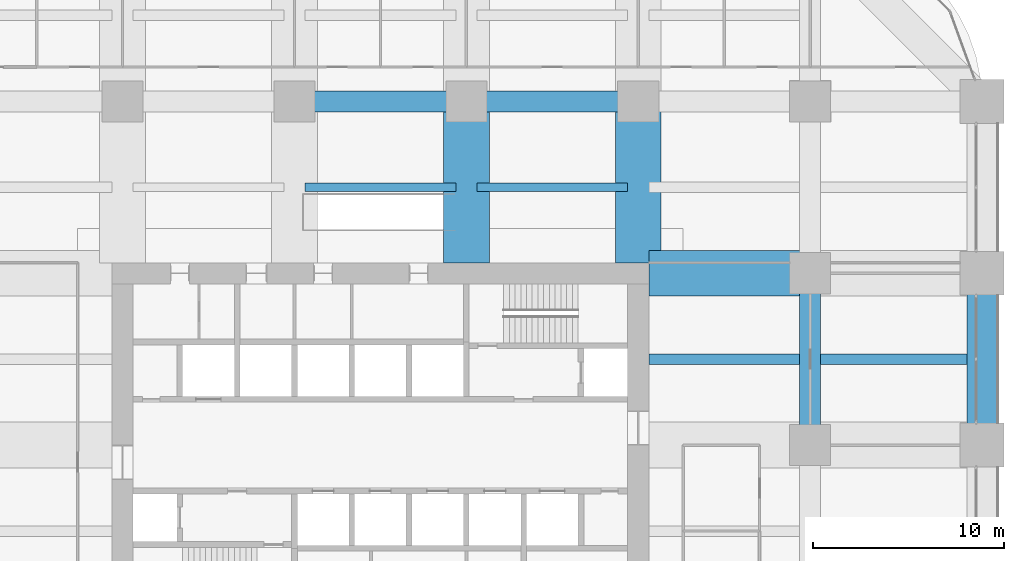
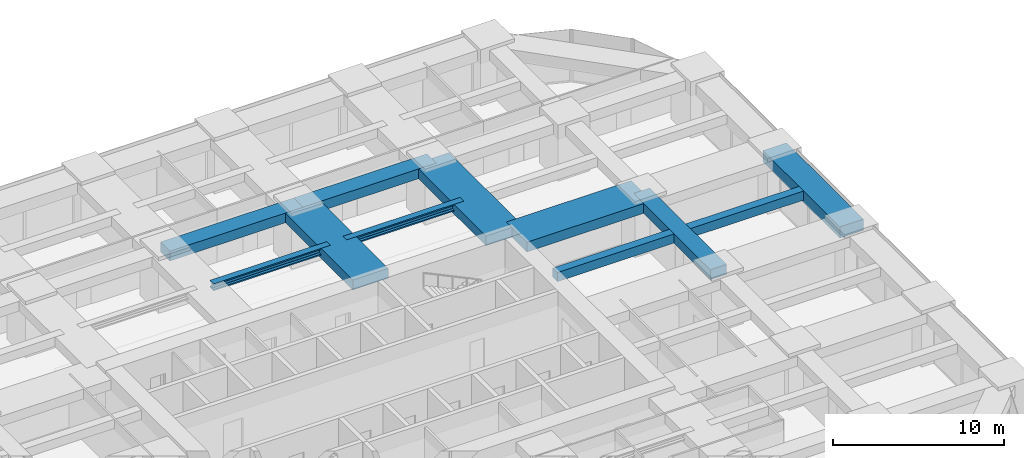
# One storey, part 30 of 44: 11 beams.
"""IFC4 building model written with IfcOpenShell, lengths in metres."""

from ifc_helpers import new_model, si_unit, direction, frame, origin, origin_2d, place, context, subcontext, project, spatial, rectangle, i_section, extrude, material, material_profile, profile_set, type_object, element, save


model = new_model("IFC4")

# Units and contexts
model_context = context("Model", 3, precision=1e-05, world=origin(), true_north=direction((0.0, 1.0)))
body_context = subcontext(model_context, "Body", "Model", "MODEL_VIEW")
ifc_project = project(units=[si_unit("LENGTHUNIT", "METRE"), si_unit("AREAUNIT", "SQUARE_METRE"), si_unit("VOLUMEUNIT", "CUBIC_METRE"), si_unit("PLANEANGLEUNIT", "RADIAN"), si_unit("MASSUNIT", "GRAM", prefix="KILO")], contexts=[model_context])

# Site, building, storey
site_placement = place(None, origin())
site = spatial("IfcSite", under=ifc_project, at=site_placement, CompositionType="ELEMENT")
building_placement = place(site_placement, origin())
building = spatial("IfcBuilding", under=site, at=building_placement, Name="Zorevar Civic Tower", CompositionType="ELEMENT")
storey_placement = place(building_placement, frame((0.0, 0.0, 63.800048828125)))
storey = spatial("IfcBuildingStorey", under=building, at=storey_placement, Name="L15", CompositionType="ELEMENT", Elevation=63.800048828125)

# Beams
ifc_material_1 = material(Name="Concrete C50/60", Category="concrete")
ifc_material_profile_1 = material_profile(ifc_material_1, rectangle(XDim=1.10009765625, YDim=0.699951171875, at=origin_2d()), Name="RC 1100x700")
ifc_profile_set_1 = profile_set([ifc_material_profile_1], Name="Concrete C50/60")
beam_type_1 = type_object("IfcBeamType", Name="Beam RC 1100x700", PredefinedType="BEAM", material=ifc_profile_set_1)
for number, where, z_axis, x_axis, name in (
    (1, (27.0, 45.0, 3.39990234375), (1.0, 0.0, 0.0), (0.0, 1.0, 0.0), "Girder L16"),
    (2, (36.0, 45.0, 3.39990234375), (1.0, 0.0, 0.0), (0.0, 1.0, 0.0), "Girder L16"),
    (3, (54.0, 27.0, 3.39990234375), (0.0, 1.0, 0.0), (-1.0, 0.0, 0.0), "Girder L16"),
):
    element("IfcBeam", number, at=place(storey_placement, frame(where, z_axis=z_axis, x_axis=x_axis)), inside=storey, type_object=beam_type_1, Name=name, PredefinedType="BEAM", context=body_context, shape_type="SweptSolid", body=[
        extrude(rectangle(XDim=1.10009765625, YDim=0.699951171875, at=origin_2d()), origin(), (0.0, 0.0, 1.0), 9.0),
    ])
ifc_material_2 = material(Name="Concrete C50/60", Category="concrete")
ifc_material_profile_2 = material_profile(ifc_material_2, rectangle(XDim=2.39990234375, YDim=0.699951171875, at=origin_2d()), Name="RC 2400x700")
ifc_profile_set_2 = profile_set([ifc_material_profile_2], Name="Concrete C50/60")
beam_type_2 = type_object("IfcBeamType", Name="Beam RC 2400x700", PredefinedType="BEAM", material=ifc_profile_set_2)
for number, where, z_axis, x_axis, name in (
    (4, (45.550048828125, 36.0, 3.39990234375), (1.0, 0.0, 0.0), (0.0, 1.0, 0.0), "Girder L16"),
    (5, (36.0, 36.550048828125, 3.39990234375), (0.0, 1.0, 0.0), (-1.0, 0.0, 0.0), "Girder L16"),
    (6, (45.0, 36.550048828125, 3.39990234375), (0.0, 1.0, 0.0), (-1.0, 0.0, 0.0), "Girder L16"),
):
    element("IfcBeam", number, at=place(storey_placement, frame(where, z_axis=z_axis, x_axis=x_axis)), inside=storey, type_object=beam_type_2, Name=name, PredefinedType="BEAM", context=body_context, shape_type="SweptSolid", body=[
        extrude(rectangle(XDim=2.39990234375, YDim=0.699951171875, at=origin_2d()), origin(), (0.0, 0.0, 1.0), 8.449951171875),
    ])
ifc_material_3 = material(Name="Concrete C50/60", Category="concrete")
ifc_material_profile_3 = material_profile(ifc_material_3, rectangle(XDim=0.550048828125, YDim=0.64990234375, at=origin_2d()), Name="RC 550x650")
ifc_profile_set_3 = profile_set([ifc_material_profile_3], Name="Concrete C50/60")
beam_type_3 = type_object("IfcBeamType", Name="Beam RC 550x650", PredefinedType="BEAM", material=ifc_profile_set_3)
beam_1_placement = place(storey_placement, frame((45.550048828125, 31.5, 3.425048828125), z_axis=(1.0, 0.0, 0.0), x_axis=(0.0, 1.0, 0.0)))
element("IfcBeam", 7, at=beam_1_placement, inside=storey, type_object=beam_type_3, Name="Secondary beam L16", PredefinedType="BEAM", context=body_context, shape_type="SweptSolid", body=[
    extrude(rectangle(XDim=0.550048828125, YDim=0.64990234375, at=origin_2d()), origin(), (0.0, 0.0, 1.0), 7.89990234375),
])
beam_2_placement = place(storey_placement, frame((54.550048828125, 31.5, 3.425048828125), z_axis=(1.0, 0.0, 0.0), x_axis=(0.0, 1.0, 0.0)))
element("IfcBeam", 8, at=beam_2_placement, inside=storey, type_object=beam_type_3, Name="Secondary beam L16", PredefinedType="BEAM", context=body_context, shape_type="SweptSolid", body=[
    extrude(rectangle(XDim=0.550048828125, YDim=0.64990234375, at=origin_2d()), origin(), (0.0, 0.0, 1.0), 7.64990234375),
])
ifc_material_4 = material(Name="Steel S460M (HISTAR 460)", Category="steel")
ifc_material_profile_4 = material_profile(ifc_material_4, i_section(OverallWidth=0.431884765625, OverallDepth=0.498046875, WebThickness=0.0556640625, FlangeThickness=0.0888671875, FilletRadius=0.014892578125, at=origin_2d()), Name="HD 400x744")
ifc_profile_set_4 = profile_set([ifc_material_profile_4], Name="Steel S460M (HISTAR 460)")
beam_type_4 = type_object("IfcBeamType", Name="Core bay beam HD 400x744", PredefinedType="BEAM", material=ifc_profile_set_4)
for number, where, z_axis, x_axis, name in (
    (9, (27.550048828125, 40.5, 3.5009765625), (1.0, 0.0, 0.0), (0.0, 1.0, 0.0), "Secondary beam L16"),
    (10, (36.550048828125, 40.5, 3.5009765625), (1.0, 0.0, 0.0), (0.0, 1.0, 0.0), "Secondary beam L16"),
):
    element("IfcBeam", number, at=place(storey_placement, frame(where, z_axis=z_axis, x_axis=x_axis)), inside=storey, type_object=beam_type_4, Name=name, PredefinedType="BEAM", context=body_context, shape_type="SweptSolid", body=[
        extrude(i_section(OverallWidth=0.431884765625, OverallDepth=0.498046875, WebThickness=0.0556640625, FlangeThickness=0.0888671875, FilletRadius=0.014892578125, at=origin_2d()), origin(), (0.0, 0.0, 1.0), 7.89990234375),
    ])
ifc_material_5 = material(Name="Concrete C50/60", Category="concrete")
ifc_material_profile_5 = material_profile(ifc_material_5, rectangle(XDim=1.60009765625, YDim=0.800048828125, at=origin_2d()), Name="RC 1600x800")
ifc_profile_set_5 = profile_set([ifc_material_profile_5], Name="Concrete C50/60")
beam_type_5 = type_object("IfcBeamType", Name="Edge beam RC 1600x800", PredefinedType="SPANDREL", material=ifc_profile_set_5)
beam_3_placement = place(storey_placement, frame((63.0, 27.0, 3.349853515625), z_axis=(0.0, 1.0, 0.0), x_axis=(-1.0, 0.0, 0.0)))
element("IfcBeam", 11, at=beam_3_placement, inside=storey, type_object=beam_type_5, Name="Edge beam L16", PredefinedType="SPANDREL", context=body_context, shape_type="SweptSolid", body=[
    extrude(rectangle(XDim=1.60009765625, YDim=0.800048828125, at=origin_2d()), origin(), (0.0, 0.0, 1.0), 9.0),
])

save(model, "model.ifc")
